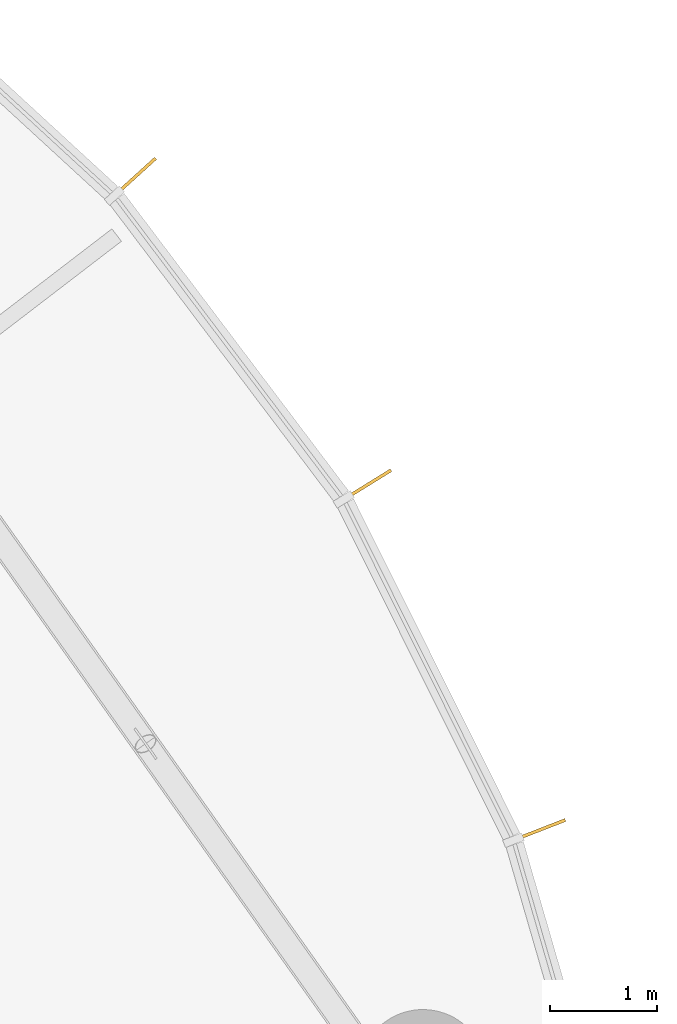
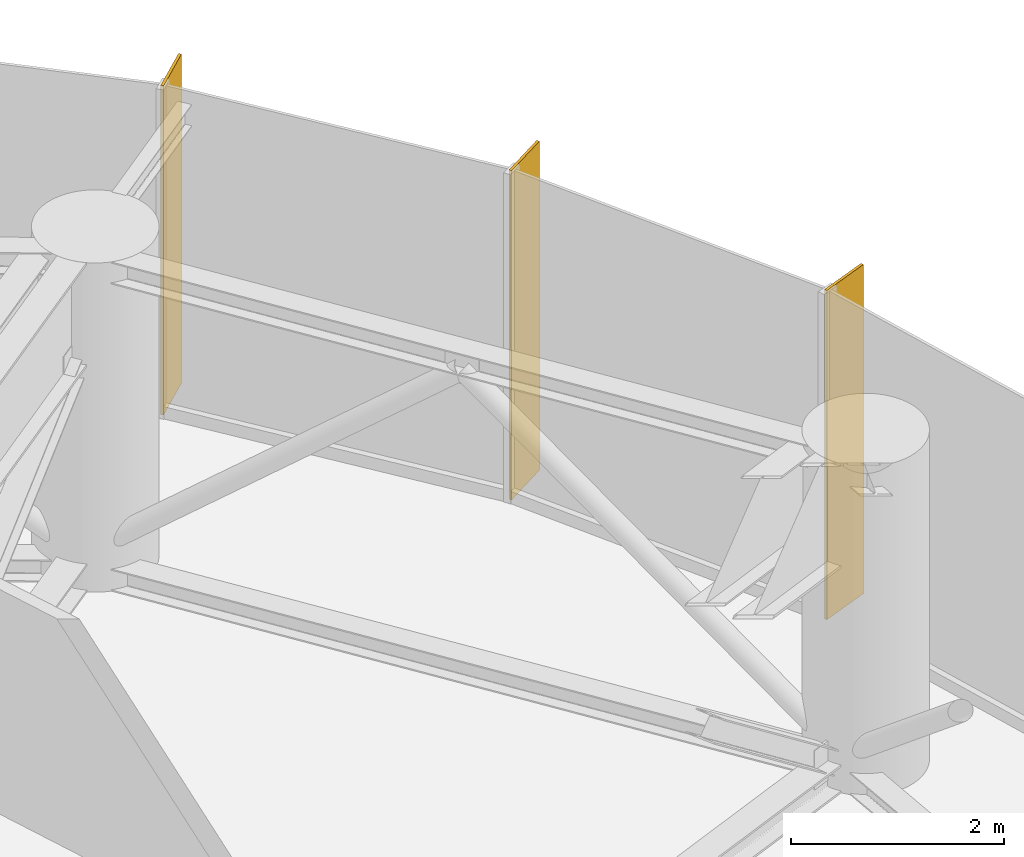
# One storey, part 33 of 33: 3 shading devices.
"""IFC4 building model written with IfcOpenShell, lengths in metres."""

from ifc_helpers import new_model, si_unit, direction, frame, origin, origin_2d, place, context, subcontext, project, spatial, rectangle, extrude, source, transform, mapped, material, material_profile, profile_set, type_object, element, save


model = new_model("IFC4")

# Units and contexts
model_context = context("Model", 3, precision=1e-05, world=origin(), true_north=direction((0.0, 1.0)))
body_context = subcontext(model_context, "Body", "Model", "MODEL_VIEW")
ifc_project = project(units=[si_unit("LENGTHUNIT", "METRE"), si_unit("AREAUNIT", "SQUARE_METRE"), si_unit("VOLUMEUNIT", "CUBIC_METRE"), si_unit("PLANEANGLEUNIT", "RADIAN"), si_unit("MASSUNIT", "GRAM", prefix="KILO")], contexts=[model_context])

# Site, building, storey
site_placement = place(None, origin())
site = spatial("IfcSite", under=ifc_project, at=site_placement, CompositionType="ELEMENT")
building_placement = place(site_placement, origin())
building = spatial("IfcBuilding", under=site, at=building_placement, Name="Spindrift Exchange Tower", CompositionType="ELEMENT")
storey_placement = place(building_placement, frame((0.0, 0.0, 129.0)))
storey = spatial("IfcBuildingStorey", under=building, at=storey_placement, Name="L30", CompositionType="ELEMENT", Elevation=129.0)

# Shading devices
ifc_material = material(Name="Bronze anodised aluminium", Category="aluminium")
ifc_material_profile = material_profile(ifc_material, rectangle(XDim=0.030029296875, YDim=0.550048828125, at=origin_2d()), Name="WIND FIN 30X550")
ifc_profile_set = profile_set([ifc_material_profile], Name="Bronze anodised aluminium")
shading_device_type = type_object("IfcShadingDeviceType", Name="WIND FIN 30X550", PredefinedType="USERDEFINED", material=ifc_profile_set)
shared_shape = source(origin(), body_context, "Body", "SweptSolid", [
    extrude(rectangle(XDim=0.030029296875, YDim=0.550048828125, at=origin_2d()), origin(), (0.0, 0.0, 1.0), 3.780029296875),
])
for number, where, z_axis, x_axis, name in (
    (1, (79.923095703125, 65.28955078125, 0.0), (0.0, 0.0, 1.0), (-0.52642613994, 0.850220864945, 0.0), "L30 wind fin 2"),
    (2, (77.75, 68.168701171875, 0.0), (0.0, 0.0, 1.0), (-0.671994648297, 0.74055600238, 0.0), "L30 wind fin 3"),
    (3, (81.531982421875, 62.060791015625, 0.0), (0.0, 0.0, 1.0), (-0.363391071665, 0.931636693693, 0.0), "L30 wind fin 4"),
):
    element("IfcShadingDevice", number, at=place(storey_placement, frame(where, z_axis=z_axis, x_axis=x_axis)), inside=storey, type_object=shading_device_type, Name=name, ObjectType="FIN", PredefinedType="USERDEFINED", context=body_context, shape_type="MappedRepresentation", body=[
        mapped(shared_shape, transform((0.0, 0.0, 0.0), scale=1.0)),
    ])

save(model, "model.ifc")
